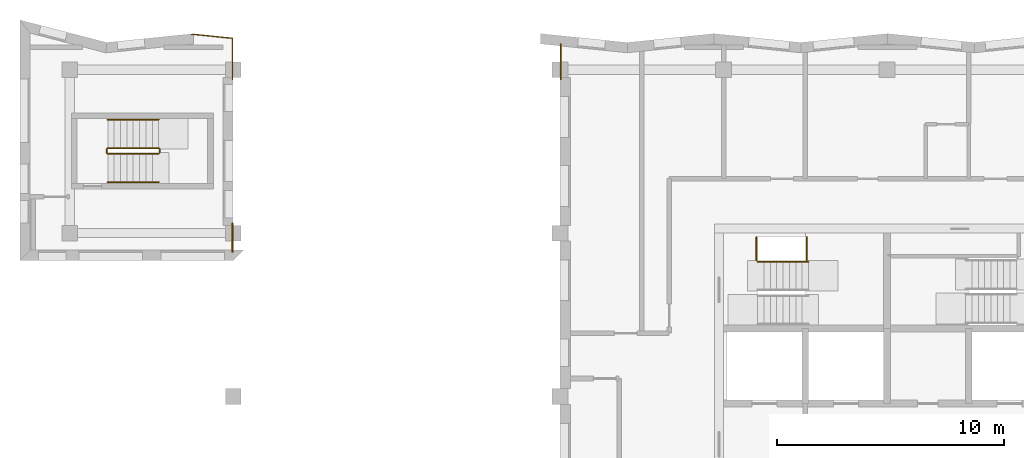
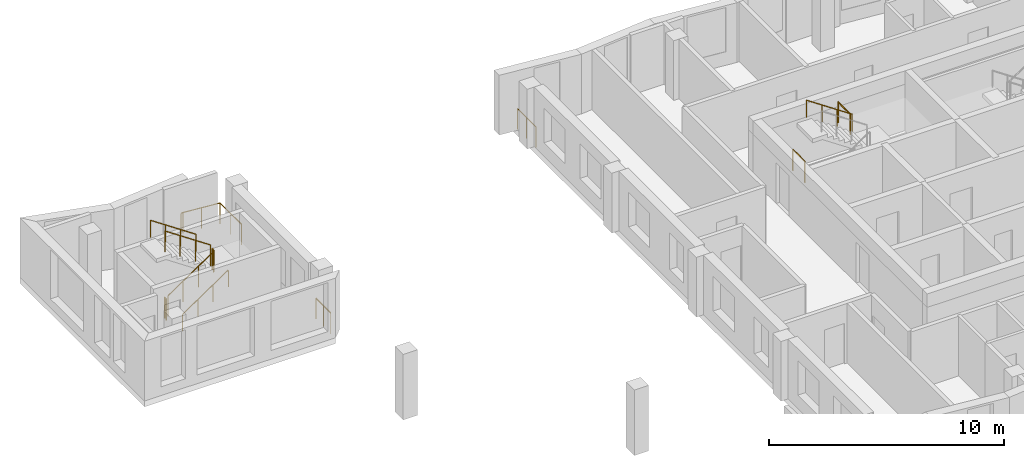
# One storey, part 10 of 12: 12 railings.
"""IFC4 building model written with IfcOpenShell, lengths in metres."""

import ifcopenshell
import ifcopenshell.guid

model = None  # the IFC model being written
_history = None  # IfcOwnerHistory: only IFC2X3 demands one
_inside = {}  # id of a spatial element -> (the spatial element, [elements in it])
_under = {}  # id of a project, library or spatial element -> (it, [spatial elements below it])
_declared = {}  # id of a project -> (the project, [libraries it declares])
_typed = {}  # id of a type object -> (the type object, [elements of that type])
_made_of = {}  # id of a material, layer set ... -> (it, [elements and type objects made of it])


def new_model(schema):
    """Start an empty IFC model of exactly this schema.

    Asked for "IFC4X3", IfcOpenShell would pick the latest addendum, in which some entities
    have other attributes; the version numbers below select the first issue.
    IFC2X3 requires an IfcOwnerHistory on every rooted entity: one is made here for all.
    """
    global model, _history
    if schema == "IFC4X3":
        model = ifcopenshell.file(schema_version=(4, 3, 0, 0))
    else:
        model = ifcopenshell.file(schema=schema)
    _inside.clear()
    _under.clear()
    _declared.clear()
    _typed.clear()
    _made_of.clear()
    _history = None
    if model.schema == "IFC2X3":
        org = make("IfcOrganization", Name="unknown")
        user = make(
            "IfcPersonAndOrganization",
            ThePerson=make("IfcPerson", FamilyName="unknown"),
            TheOrganization=org,
        )
        app = make(
            "IfcApplication",
            ApplicationDeveloper=org,
            Version="unknown",
            ApplicationFullName="unknown",
            ApplicationIdentifier="unknown",
        )
        _history = make(
            "IfcOwnerHistory",
            OwningUser=user,
            OwningApplication=app,
            ChangeAction="ADDED",
            CreationDate=0,
        )
    return model


def make(cls, **values):
    """One entity of the class cls with the attributes given. An attribute that is None is left unset."""
    return model.create_entity(
        cls, **{name: value for name, value in values.items() if value is not None}
    )


def rooted(cls, **values):
    """An entity with a GlobalId (a new one), such as an element, a storey or a relation."""
    return make(cls, GlobalId=ifcopenshell.guid.new(), OwnerHistory=_history, **values)


def si_unit(unit_type, name, prefix=None):
    """IfcSIUnit, for example si_unit("LENGTHUNIT", "METRE", prefix="MILLI")."""
    return make("IfcSIUnit", UnitType=unit_type, Prefix=prefix, Name=name)


def assignment(units):
    """IfcUnitAssignment: the units of a project."""
    return None if units is None else make("IfcUnitAssignment", Units=units)


def point(xyz):
    """IfcCartesianPoint."""
    return None if xyz is None else make("IfcCartesianPoint", Coordinates=xyz)


def direction(xyz):
    """IfcDirection."""
    return None if xyz is None else make("IfcDirection", DirectionRatios=xyz)


def frame(location, z_axis=None, x_axis=None):
    """IfcAxis2Placement3D, a coordinate frame: its origin and axes. An axis left out is left unset."""
    return make(
        "IfcAxis2Placement3D",
        Location=point(location),
        Axis=direction(z_axis),
        RefDirection=direction(x_axis),
    )


def frame_2d(location, x_axis=None):
    """IfcAxis2Placement2D, a coordinate frame in the plane: its origin and x axis."""
    return make(
        "IfcAxis2Placement2D", Location=point(location), RefDirection=direction(x_axis)
    )


def origin():
    """The frame at (0, 0, 0) with its axes left unset."""
    return frame((0.0, 0.0, 0.0))


def origin_2d():
    """The frame at (0, 0) in the plane with its x axis left unset."""
    return frame_2d((0.0, 0.0))


def place(relative_to, where):
    """IfcLocalPlacement: puts the frame where relative to a parent placement (None: the world)."""
    return make(
        "IfcLocalPlacement", PlacementRelTo=relative_to, RelativePlacement=where
    )


def context(
    kind, dimensions, precision=None, world=None, true_north=None, identifier=None
):
    """IfcGeometricRepresentationContext, for example the 3D "Model" context."""
    return make(
        "IfcGeometricRepresentationContext",
        ContextIdentifier=identifier,
        ContextType=kind,
        CoordinateSpaceDimension=dimensions,
        Precision=precision,
        WorldCoordinateSystem=world,
        TrueNorth=true_north,
    )


def subcontext(parent, identifier, kind, view, scale=None):
    """IfcGeometricRepresentationSubContext, for example "Body" below "Model"."""
    return make(
        "IfcGeometricRepresentationSubContext",
        ContextIdentifier=identifier,
        ContextType=kind,
        ParentContext=parent,
        TargetScale=scale,
        TargetView=view,
    )


def project(units=None, contexts=None):
    """IfcProject with its units and contexts."""
    return rooted(
        "IfcProject",
        Name="project",
        RepresentationContexts=contexts,
        UnitsInContext=assignment(units),
    )


def spatial(cls, under=None, at=None, **own):
    """A site, building, storey or space (cls), placed at a placement, below another one or the project."""
    s = rooted(cls, ObjectPlacement=at, **own)
    if under is not None:
        _under.setdefault(under.id(), (under, []))[1].append(s)
    return s


def profile(cls, at=None, kind="AREA", **sizes):
    """A parametric profile (cls). Its sizes go by their IFC names, for example OverallWidth=200.0."""
    return make(cls, ProfileType=kind, Position=at, **sizes)


def circle(**sizes):
    """IfcCircleProfileDef."""
    return profile("IfcCircleProfileDef", **sizes)


def extrude(swept, where, along, depth):
    """IfcExtrudedAreaSolid: the profile swept, set in the frame where, extruded along a direction by depth."""
    return make(
        "IfcExtrudedAreaSolid",
        SweptArea=swept,
        Position=where,
        ExtrudedDirection=direction(along),
        Depth=depth,
    )


def shape(context_of_items, identifier, shape_type, items):
    """IfcShapeRepresentation: the items that make up one representation, for example the "Body"."""
    return make(
        "IfcShapeRepresentation",
        ContextOfItems=context_of_items,
        RepresentationIdentifier=identifier,
        RepresentationType=shape_type,
        Items=items,
    )


def material(Name=None, Category=None):
    """IfcMaterial."""
    return make("IfcMaterial", Name=Name, Category=Category)


def made_of(thing, what):
    """Note that an element or type object is made of a material, layer set ...; save() writes the relation."""
    if what is not None:
        _made_of.setdefault(what.id(), (what, []))[1].append(thing)
    return thing


def type_object(cls, material=None, **own):
    """A type object (cls), such as IfcWallType, which elements share."""
    return made_of(rooted(cls, **own), material)


def element(
    cls,
    number,
    at=None,
    inside=None,
    cuts=None,
    type_object=None,
    material=None,
    context=None,
    identifier="Body",
    shape_type=None,
    held_by="IfcProductDefinitionShape",
    body=None,
    shapes=None,
    **own,
):
    """One element of the class cls, such as IfcWall. Its Tag is "e" and its number.

    at: its placement. inside: the storey or other place that contains it. cuts: it is an
    opening in that element (IfcRelVoidsElement). A single representation is given by context,
    identifier, shape_type and body (its items); several are given by shapes. held_by: the class
    of the entity that holds the representations. save() writes the other relations.
    """
    e = rooted(cls, Tag="e%d" % number, ObjectPlacement=at, **own)
    if body is not None:
        shapes = [shape(context, identifier, shape_type, body)]
    if shapes is not None:
        e.Representation = make(held_by, Representations=shapes)
    if inside is not None:
        _inside.setdefault(inside.id(), (inside, []))[1].append(e)
    if cuts is not None:
        rooted(
            "IfcRelVoidsElement", RelatingBuildingElement=cuts, RelatedOpeningElement=e
        )
    if type_object is not None:
        _typed.setdefault(type_object.id(), (type_object, []))[1].append(e)
    return made_of(e, material)


def aggregate(whole, parts):
    """IfcRelAggregates: a whole, such as a stair, and the parts it consists of."""
    return rooted("IfcRelAggregates", RelatingObject=whole, RelatedObjects=parts)


def save(model, path):
    """Write the relations noted so far, then the file.

    IfcRelAggregates (storeys below a building ...), IfcRelContainedInSpatialStructure (elements
    in a storey), IfcRelDefinesByType, IfcRelAssociatesMaterial and IfcRelDeclares: one each for
    every whole, place, type object, material and project.
    """
    for whole, parts in _under.values():
        aggregate(whole, parts)
    for where, things in _inside.values():
        rooted(
            "IfcRelContainedInSpatialStructure",
            RelatedElements=things,
            RelatingStructure=where,
        )
    for kind, things in _typed.values():
        rooted("IfcRelDefinesByType", RelatedObjects=things, RelatingType=kind)
    for what, things in _made_of.values():
        rooted("IfcRelAssociatesMaterial", RelatedObjects=things, RelatingMaterial=what)
    for by, libraries in _declared.values():
        rooted("IfcRelDeclares", RelatingContext=by, RelatedDefinitions=libraries)
    model.write(path)


model = new_model("IFC4")

# Units and contexts
model_context = context("Model", 3, precision=1e-05, world=origin(), true_north=direction((0.0, 1.0)))
body_context = subcontext(model_context, "Body", "Model", "MODEL_VIEW")
ifc_project = project(units=[si_unit("LENGTHUNIT", "METRE"), si_unit("AREAUNIT", "SQUARE_METRE"), si_unit("VOLUMEUNIT", "CUBIC_METRE"), si_unit("PLANEANGLEUNIT", "RADIAN"), si_unit("MASSUNIT", "GRAM", prefix="KILO")], contexts=[model_context])

# Site, building, storey
site_placement = place(None, origin())
site = spatial("IfcSite", under=ifc_project, at=site_placement, CompositionType="ELEMENT")
building_placement = place(site_placement, origin())
building = spatial("IfcBuilding", under=site, at=building_placement, Name="Windrow Commons", CompositionType="ELEMENT")
storey_placement = place(building_placement, frame((0.0, 0.0, 254.0)))
storey = spatial("IfcBuildingStorey", under=building, at=storey_placement, Name="L69", CompositionType="ELEMENT", Elevation=254.0)

# Railings
ifc_material_1 = material(Name="Steel S355", Category="steel")
railing_type_1 = type_object("IfcRailingType", Name="Core stair guard 1100", PredefinedType="GUARDRAIL", material=ifc_material_1)
for number, where, name in (
    (1, (59.05, 63.6, 0.0), "L69 ST-A1 stair guard 3"),
    (2, (61.27, 63.6, 1.7), "L69 ST-A1 stair guard 4"),
):
    element("IfcRailing", number, at=place(storey_placement, frame(where)), inside=storey, type_object=railing_type_1, Name=name, PredefinedType="GUARDRAIL", context=body_context, shape_type="SweptSolid", body=[
        extrude(circle(Radius=0.024, at=origin_2d()), frame((0.0, 0.0, 1.076), z_axis=(0.0, 1.0, 0.0), x_axis=(-1.0, 0.0, 0.0)), (0.0, 0.0, 1.0), 1.03),
        extrude(circle(Radius=0.021, at=origin_2d()), origin(), (0.0, 0.0, 1.0), 1.052),
        extrude(circle(Radius=0.021, at=origin_2d()), frame((0.0, 1.03, 0.0)), (0.0, 0.0, 1.0), 1.052),
    ])
railing_1_placement = place(storey_placement, frame((30.475, 68.3, 0.1889)))
element("IfcRailing", 3, at=railing_1_placement, inside=storey, type_object=railing_type_1, Name="L69 ST-W stair guard 1", PredefinedType="GUARDRAIL", context=body_context, shape_type="SweptSolid", body=[
    extrude(circle(Radius=0.024, at=origin_2d()), frame((0.0, 0.0, 1.076), z_axis=(0.8290030985, 0.0, 0.5592440099), x_axis=(0.0, 1.0, 0.0)), (0.0, 0.0, 1.0), 2.702),
    extrude(circle(Radius=0.021, at=origin_2d()), origin(), (0.0, 0.0, 1.0), 1.052),
    extrude(circle(Radius=0.021, at=origin_2d()), frame((0.7467, 0.0, 0.5037)), (0.0, 0.0, 1.0), 1.052),
    extrude(circle(Radius=0.021, at=origin_2d()), frame((1.4933, 0.0, 1.0074)), (0.0, 0.0, 1.0), 1.052),
    extrude(circle(Radius=0.021, at=origin_2d()), frame((2.24, 0.0, 1.5111)), (0.0, 0.0, 1.0), 1.052),
])
railing_2_placement = place(storey_placement, frame((32.765, 68.35, 1.7)))
element("IfcRailing", 4, at=railing_2_placement, inside=storey, type_object=railing_type_1, Name="L69 ST-W stair guard 2", PredefinedType="GUARDRAIL", context=body_context, shape_type="SweptSolid", body=[
    extrude(circle(Radius=0.024, at=origin_2d()), frame((0.0, 0.0, 1.076), z_axis=(0.0, 1.0, 0.0), x_axis=(-1.0, 0.0, 0.0)), (0.0, 0.0, 1.0), 0.15),
    extrude(circle(Radius=0.021, at=origin_2d()), origin(), (0.0, 0.0, 1.0), 1.052),
    extrude(circle(Radius=0.021, at=origin_2d()), frame((0.0, 0.15, 0.0)), (0.0, 0.0, 1.0), 1.052),
])
railing_3_placement = place(storey_placement, frame((32.715, 68.55, 1.8889)))
element("IfcRailing", 5, at=railing_3_placement, inside=storey, type_object=railing_type_1, Name="L69 ST-W stair guard 3", PredefinedType="GUARDRAIL", context=body_context, shape_type="SweptSolid", body=[
    extrude(circle(Radius=0.024, at=origin_2d()), frame((0.0, 0.0, 1.076), z_axis=(-0.8290030985, 0.0, 0.5592440099), x_axis=(0.0, -1.0, 0.0)), (0.0, 0.0, 1.0), 2.702),
    extrude(circle(Radius=0.021, at=origin_2d()), origin(), (0.0, 0.0, 1.0), 1.052),
    extrude(circle(Radius=0.021, at=origin_2d()), frame((-0.7467, 0.0, 0.5037)), (0.0, 0.0, 1.0), 1.052),
    extrude(circle(Radius=0.021, at=origin_2d()), frame((-1.4933, 0.0, 1.0074)), (0.0, 0.0, 1.0), 1.052),
    extrude(circle(Radius=0.021, at=origin_2d()), frame((-2.24, 0.0, 1.5111)), (0.0, 0.0, 1.0), 1.052),
])
railing_4_placement = place(storey_placement, frame((30.425, 68.35, 0.0)))
element("IfcRailing", 6, at=railing_4_placement, inside=storey, type_object=railing_type_1, Name="L69 ST-W stair guard 4", PredefinedType="GUARDRAIL", context=body_context, shape_type="SweptSolid", body=[
    extrude(circle(Radius=0.024, at=origin_2d()), frame((0.0, 0.0, 1.076), z_axis=(0.0, 1.0, 0.0), x_axis=(-1.0, 0.0, 0.0)), (0.0, 0.0, 1.0), 0.15),
    extrude(circle(Radius=0.021, at=origin_2d()), origin(), (0.0, 0.0, 1.0), 1.052),
    extrude(circle(Radius=0.021, at=origin_2d()), frame((0.0, 0.15, 0.0)), (0.0, 0.0, 1.0), 1.052),
])
ifc_material_2 = material(Name="Steel S355", Category="steel")
railing_type_2 = type_object("IfcRailingType", Name="Core stair handrail 900", PredefinedType="HANDRAIL", material=ifc_material_2)
railing_5_placement = place(storey_placement, frame((61.34, 63.55, 1.8889)))
element("IfcRailing", 7, at=railing_5_placement, inside=storey, type_object=railing_type_2, Name="L69 ST-A1 stair handrail 2", PredefinedType="HANDRAIL", context=body_context, shape_type="SweptSolid", body=[
    extrude(circle(Radius=0.024, at=origin_2d()), frame((0.0, 0.0, 0.876), z_axis=(-0.8290030985, 0.0, 0.5592440099), x_axis=(0.0, -1.0, 0.0)), (0.0, 0.0, 1.0), 2.702),
    extrude(circle(Radius=0.021, at=origin_2d()), origin(), (0.0, 0.0, 1.0), 0.852),
    extrude(circle(Radius=0.021, at=origin_2d()), frame((-0.7467, 0.0, 0.5037)), (0.0, 0.0, 1.0), 0.852),
    extrude(circle(Radius=0.021, at=origin_2d()), frame((-1.4933, 0.0, 1.0074)), (0.0, 0.0, 1.0), 0.852),
    extrude(circle(Radius=0.021, at=origin_2d()), frame((-2.24, 0.0, 1.5111)), (0.0, 0.0, 1.0), 0.852),
])
railing_6_placement = place(storey_placement, frame((30.475, 67.05, 0.1889)))
element("IfcRailing", 8, at=railing_6_placement, inside=storey, type_object=railing_type_2, Name="L69 ST-W stair handrail 1", PredefinedType="HANDRAIL", context=body_context, shape_type="SweptSolid", body=[
    extrude(circle(Radius=0.024, at=origin_2d()), frame((0.0, 0.0, 0.876), z_axis=(0.8290030985, 0.0, 0.5592440099), x_axis=(0.0, 1.0, 0.0)), (0.0, 0.0, 1.0), 2.702),
    extrude(circle(Radius=0.021, at=origin_2d()), origin(), (0.0, 0.0, 1.0), 0.852),
    extrude(circle(Radius=0.021, at=origin_2d()), frame((0.7467, 0.0, 0.5037)), (0.0, 0.0, 1.0), 0.852),
    extrude(circle(Radius=0.021, at=origin_2d()), frame((1.4933, 0.0, 1.0074)), (0.0, 0.0, 1.0), 0.852),
    extrude(circle(Radius=0.021, at=origin_2d()), frame((2.24, 0.0, 1.5111)), (0.0, 0.0, 1.0), 0.852),
])
railing_7_placement = place(storey_placement, frame((32.715, 69.8, 1.8889)))
element("IfcRailing", 9, at=railing_7_placement, inside=storey, type_object=railing_type_2, Name="L69 ST-W stair handrail 2", PredefinedType="HANDRAIL", context=body_context, shape_type="SweptSolid", body=[
    extrude(circle(Radius=0.024, at=origin_2d()), frame((0.0, 0.0, 0.876), z_axis=(-0.8290030985, 0.0, 0.5592440099), x_axis=(0.0, -1.0, 0.0)), (0.0, 0.0, 1.0), 2.702),
    extrude(circle(Radius=0.021, at=origin_2d()), origin(), (0.0, 0.0, 1.0), 0.852),
    extrude(circle(Radius=0.021, at=origin_2d()), frame((-0.7467, 0.0, 0.5037)), (0.0, 0.0, 1.0), 0.852),
    extrude(circle(Radius=0.021, at=origin_2d()), frame((-1.4933, 0.0, 1.0074)), (0.0, 0.0, 1.0), 0.852),
    extrude(circle(Radius=0.021, at=origin_2d()), frame((-2.24, 0.0, 1.5111)), (0.0, 0.0, 1.0), 0.852),
])
ifc_material_3 = material(Name="Stainless steel S316 balustrade with toughened glass infill", Category="steel")
railing_type_3 = type_object("IfcRailingType", Name="Terrace guard 1100", PredefinedType="BALUSTRADE", material=ifc_material_3)
railing_8_placement = place(storey_placement, frame((50.43, 71.57, 0.0)))
element("IfcRailing", 10, at=railing_8_placement, inside=storey, type_object=railing_type_3, Name="Edge guard L69 2", PredefinedType="BALUSTRADE", context=body_context, shape_type="SweptSolid", body=[
    extrude(circle(Radius=0.025, at=origin_2d()), frame((0.0, 0.0, 1.075), z_axis=(0.0, 1.0, 0.0), x_axis=(-1.0, 0.0, 0.0)), (0.0, 0.0, 1.0), 1.5559),
    extrude(circle(Radius=0.02, at=origin_2d()), origin(), (0.0, 0.0, 1.0), 1.05),
    extrude(circle(Radius=0.02, at=origin_2d()), frame((0.0, 0.778, 0.0)), (0.0, 0.0, 1.0), 1.05),
    extrude(circle(Radius=0.02, at=origin_2d()), frame((0.0, 1.5559, 0.0)), (0.0, 0.0, 1.0), 1.05),
])
railing_9_placement = place(storey_placement, frame((34.1575, 73.5512, 0.0)))
element("IfcRailing", 11, at=railing_9_placement, inside=storey, type_object=railing_type_3, Name="Edge guard L69 3", PredefinedType="BALUSTRADE", context=body_context, shape_type="SweptSolid", body=[
    extrude(circle(Radius=0.025, at=origin_2d()), frame((0.0, 0.0, 1.075), z_axis=(0.9948471941, 0.1013857013, 0.0), x_axis=(-0.1013857013, 0.9948471941, 0.0)), (0.0, 0.0, 1.0), 0.0947),
    extrude(circle(Radius=0.025, at=origin_2d()), frame((0.0942, 0.0096, 1.075), z_axis=(0.9948070211, -0.1017791272, 0.0), x_axis=(0.1017791272, 0.9948070211, 0.0)), (0.0, 0.0, 1.0), 1.7273),
    extrude(circle(Radius=0.025, at=origin_2d()), frame((1.8125, -0.1662, 1.075), z_axis=(0.0, -1.0, 0.0), x_axis=(1.0, 0.0, 0.0)), (0.0, 0.0, 1.0), 1.815),
    extrude(circle(Radius=0.02, at=origin_2d()), origin(), (0.0, 0.0, 1.0), 1.05),
    extrude(circle(Radius=0.02, at=origin_2d()), frame((0.0942, 0.0096, 0.0)), (0.0, 0.0, 1.0), 1.05),
    extrude(circle(Radius=0.02, at=origin_2d()), frame((0.9534, -0.0783, 0.0)), (0.0, 0.0, 1.0), 1.05),
    extrude(circle(Radius=0.02, at=origin_2d()), frame((1.8125, -0.1662, 0.0)), (0.0, 0.0, 1.0), 1.05),
    extrude(circle(Radius=0.02, at=origin_2d()), frame((1.8125, -1.0737, 0.0)), (0.0, 0.0, 1.0), 1.05),
    extrude(circle(Radius=0.02, at=origin_2d()), frame((1.8125, -1.9812, 0.0)), (0.0, 0.0, 1.0), 1.05),
])
railing_10_placement = place(storey_placement, frame((35.97, 65.23, 0.0)))
element("IfcRailing", 12, at=railing_10_placement, inside=storey, type_object=railing_type_3, Name="Edge guard L69 4", PredefinedType="BALUSTRADE", context=body_context, shape_type="SweptSolid", body=[
    extrude(circle(Radius=0.025, at=origin_2d()), frame((0.0, 0.0, 1.075), z_axis=(0.0, -1.0, 0.0), x_axis=(1.0, 0.0, 0.0)), (0.0, 0.0, 1.0), 1.26),
    extrude(circle(Radius=0.02, at=origin_2d()), origin(), (0.0, 0.0, 1.0), 1.05),
    extrude(circle(Radius=0.02, at=origin_2d()), frame((0.0, -0.63, 0.0)), (0.0, 0.0, 1.0), 1.05),
    extrude(circle(Radius=0.02, at=origin_2d()), frame((0.0, -1.26, 0.0)), (0.0, 0.0, 1.0), 1.05),
])

save(model, "model.ifc")
